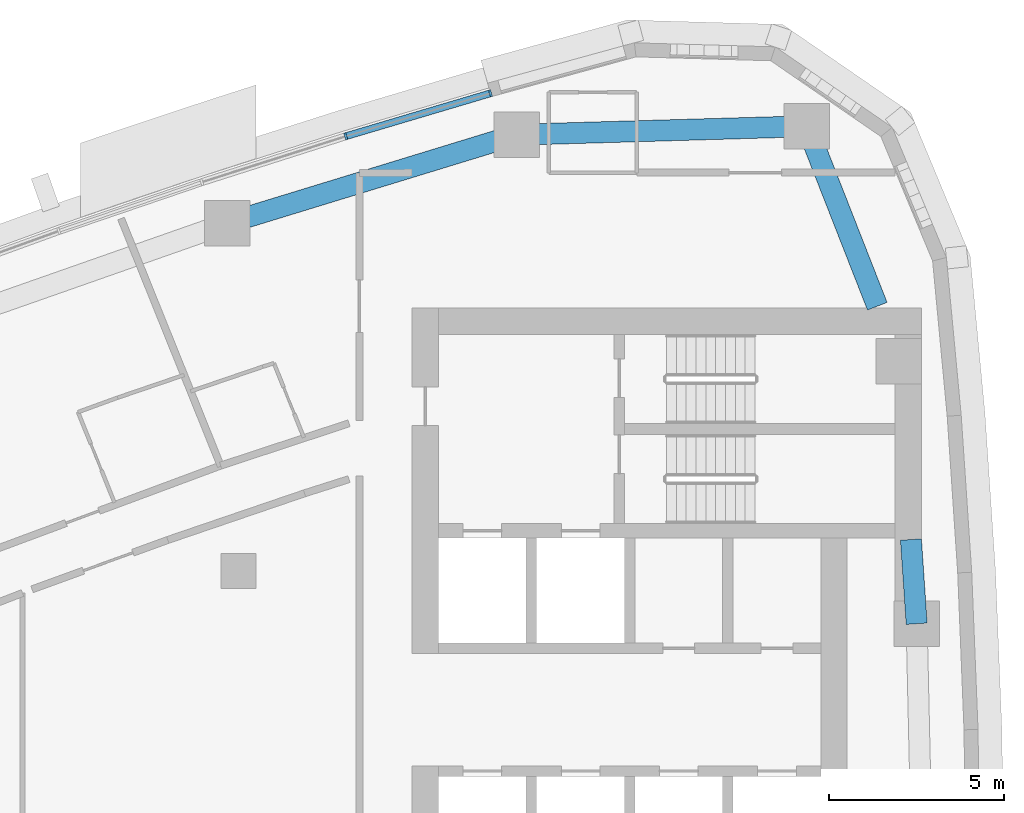
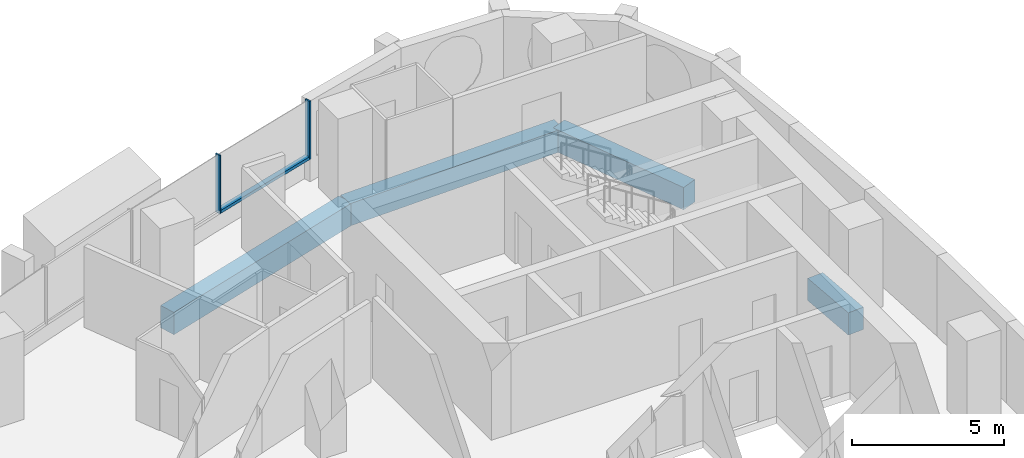
# One storey, part 7 of 16: 4 beams, 3 members, 1 element without a shape of its own.
"""IFC4 building model written with IfcOpenShell, lengths in metres."""

from ifc_helpers import new_model, si_unit, direction, frame, origin, origin_2d, place, context, subcontext, project, spatial, rectangle, extrude, material, layer, layer_set, material_profile, profile_set, type_object, element, aggregate, save


model = new_model("IFC4")

# Units and contexts
model_context = context("Model", 3, precision=1e-05, world=origin(), true_north=direction((0.0, 1.0)))
body_context = subcontext(model_context, "Body", "Model", "MODEL_VIEW")
ifc_project = project(units=[si_unit("LENGTHUNIT", "METRE"), si_unit("AREAUNIT", "SQUARE_METRE"), si_unit("VOLUMEUNIT", "CUBIC_METRE"), si_unit("PLANEANGLEUNIT", "RADIAN"), si_unit("MASSUNIT", "GRAM", prefix="KILO")], contexts=[model_context])

# Site, building, storey
site_placement = place(None, origin())
site = spatial("IfcSite", under=ifc_project, at=site_placement, CompositionType="ELEMENT")
building_placement = place(site_placement, origin())
building = spatial("IfcBuilding", under=site, at=building_placement, Name="Ostrand Prow Hotel Tower", CompositionType="ELEMENT")
storey_placement = place(building_placement, frame((0.0, 0.0, 189.699951171875)))
storey = spatial("IfcBuildingStorey", under=building, at=storey_placement, Name="L47", CompositionType="ELEMENT", Elevation=189.699951171875)

# Beams
ifc_material_1 = material(Name="Concrete C60/75", Category="concrete")
ifc_material_profile_1 = material_profile(ifc_material_1, rectangle(XDim=0.60009765625, YDim=0.89990234375, at=origin_2d()), Name="RC 600x900")
ifc_profile_set_1 = profile_set([ifc_material_profile_1], Name="Concrete C60/75")
beam_type = type_object("IfcBeamType", Name="Edge beam 600x900 C60/75", PredefinedType="SPANDREL", material=ifc_profile_set_1)
beam_1_placement = place(storey_placement, frame((64.330322265625, 7.499267578125, -0.75), z_axis=(-0.067778284608, 0.997700408006, 0.0), x_axis=(-0.997700408006, -0.067778284608, 0.0)))
element("IfcBeam", 1, at=beam_1_placement, inside=storey, type_object=beam_type, Name="Edge beam B4-B5", PredefinedType="SPANDREL", context=body_context, shape_type="SweptSolid", body=[
    extrude(rectangle(XDim=0.60009765625, YDim=0.89990234375, at=origin_2d()), origin(), (0.0, 0.0, 1.0), 2.40625),
])
beam_2_placement = place(storey_placement, frame((63.2080078125, 16.550048828125, -0.75), z_axis=(-0.364802049817, 0.931085100541, 0.0), x_axis=(-0.931085100541, -0.364802049817, 0.0)))
element("IfcBeam", 2, at=beam_2_placement, inside=storey, type_object=beam_type, Name="Edge beam B5-NE", PredefinedType="SPANDREL", context=body_context, shape_type="SweptSolid", body=[
    extrude(rectangle(XDim=0.60009765625, YDim=0.89990234375, at=origin_2d()), origin(), (0.0, 0.0, 1.0), 5.508544921875),
])
beam_3_placement = place(storey_placement, frame((61.198486328125, 21.678955078125, -0.75), z_axis=(-0.999575901438, -0.029120735993, 0.0), x_axis=(0.029120735993, -0.999575901438, 0.0)))
element("IfcBeam", 3, at=beam_3_placement, inside=storey, type_object=beam_type, Name="Edge beam NE-N1", PredefinedType="SPANDREL", context=body_context, shape_type="SweptSolid", body=[
    extrude(rectangle(XDim=0.60009765625, YDim=0.89990234375, at=origin_2d()), origin(), (0.0, 0.0, 1.0), 8.274658203125),
])
beam_4_placement = place(storey_placement, frame((52.92724609375, 21.43798828125, -0.75), z_axis=(-0.956245556413, -0.292565267659, 0.0), x_axis=(0.292565267659, -0.956245556413, 0.0)))
element("IfcBeam", 4, at=beam_4_placement, inside=storey, type_object=beam_type, Name="Edge beam N1-N2", PredefinedType="SPANDREL", context=body_context, shape_type="SweptSolid", body=[
    extrude(rectangle(XDim=0.60009765625, YDim=0.89990234375, at=origin_2d()), origin(), (0.0, 0.0, 1.0), 8.621826171875),
])

# Curtain wall, members
ifc_material_2 = material(Name="Insulated glass in bronze anodised frame", Category="glass")
ifc_layer = layer(ifc_material_2, 0.199951171875)
ifc_layer_set = layer_set([ifc_layer], Name="Insulated glass in bronze anodised frame")
curtain_wall_type = type_object("IfcCurtainWallType", Name="Strip curtain wall, fritted glass over bronze spandrel", PredefinedType="NOTDEFINED", material=ifc_layer_set)
curtain_wall_placement = place(storey_placement, origin())
curtain_wall = element("IfcCurtainWall", 5, at=curtain_wall_placement, inside=storey, type_object=curtain_wall_type, Name="CW1 run CWN1", PredefinedType="NOTDEFINED")
ifc_material_3 = material(Name="Bronze anodised aluminium", Category="aluminium")
ifc_material_profile_2 = material_profile(ifc_material_3, rectangle(XDim=0.199951171875, YDim=0.06005859375, at=origin_2d()), Name="Mullion 60x200 bronze anodised aluminium")
ifc_profile_set_2 = profile_set([ifc_material_profile_2], Name="Bronze anodised aluminium")
member_type_1 = type_object("IfcMemberType", Name="Mullion 60x200 bronze anodised aluminium", PredefinedType="MULLION", material=ifc_profile_set_2)
member_1_placement = place(storey_placement, frame((52.182373046875, 22.619384765625, 0.900146484375), z_axis=(0.0, 0.0, 1.0), x_axis=(0.284544113619, -0.958662947758, 0.0)))
member_1 = element("IfcMember", 6, at=member_1_placement, type_object=member_type_1, Name="CW1 mullion 1", PredefinedType="MULLION", context=body_context, shape_type="SweptSolid", body=[
    extrude(rectangle(XDim=0.199951171875, YDim=0.06005859375, at=origin_2d()), origin(), (0.0, 0.0, 1.0), 2.349853515625),
])
member_2_placement = place(storey_placement, frame((48.055419921875, 21.39453125, 0.900146484375), z_axis=(0.0, 0.0, 1.0), x_axis=(0.303786970008, -0.952739983864, 0.0)))
member_2 = element("IfcMember", 7, at=member_2_placement, type_object=member_type_1, Name="CW1 mullion 2", PredefinedType="MULLION", context=body_context, shape_type="SweptSolid", body=[
    extrude(rectangle(XDim=0.199951171875, YDim=0.06005859375, at=origin_2d()), origin(), (0.0, 0.0, 1.0), 2.349853515625),
])
ifc_material_4 = material(Name="Bronze anodised aluminium", Category="aluminium")
ifc_material_profile_3 = material_profile(ifc_material_4, rectangle(XDim=0.199951171875, YDim=0.1201171875, at=origin_2d()), Name="Transom 120x200 bronze anodised aluminium")
ifc_profile_set_3 = profile_set([ifc_material_profile_3], Name="Bronze anodised aluminium")
member_type_2 = type_object("IfcMemberType", Name="Transom 120x200 bronze anodised aluminium", PredefinedType="USERDEFINED", material=ifc_profile_set_3)
member_3_placement = place(storey_placement, frame((52.15380859375, 22.611083984375, 0.9599609375), z_axis=(-0.958661084062, -0.284550392558, 0.0), x_axis=(0.284550392558, -0.958661084062, 0.0)))
member_3 = element("IfcMember", 8, at=member_3_placement, type_object=member_type_2, Name="CW1 transom 1.1", ObjectType="TRANSOM", PredefinedType="USERDEFINED", context=body_context, shape_type="SweptSolid", body=[
    extrude(rectangle(XDim=0.199951171875, YDim=0.1201171875, at=origin_2d()), origin(), (0.0, 0.0, 1.0), 4.245361328125),
])
aggregate(curtain_wall, [member_1, member_2, member_3])

save(model, "model.ifc")
